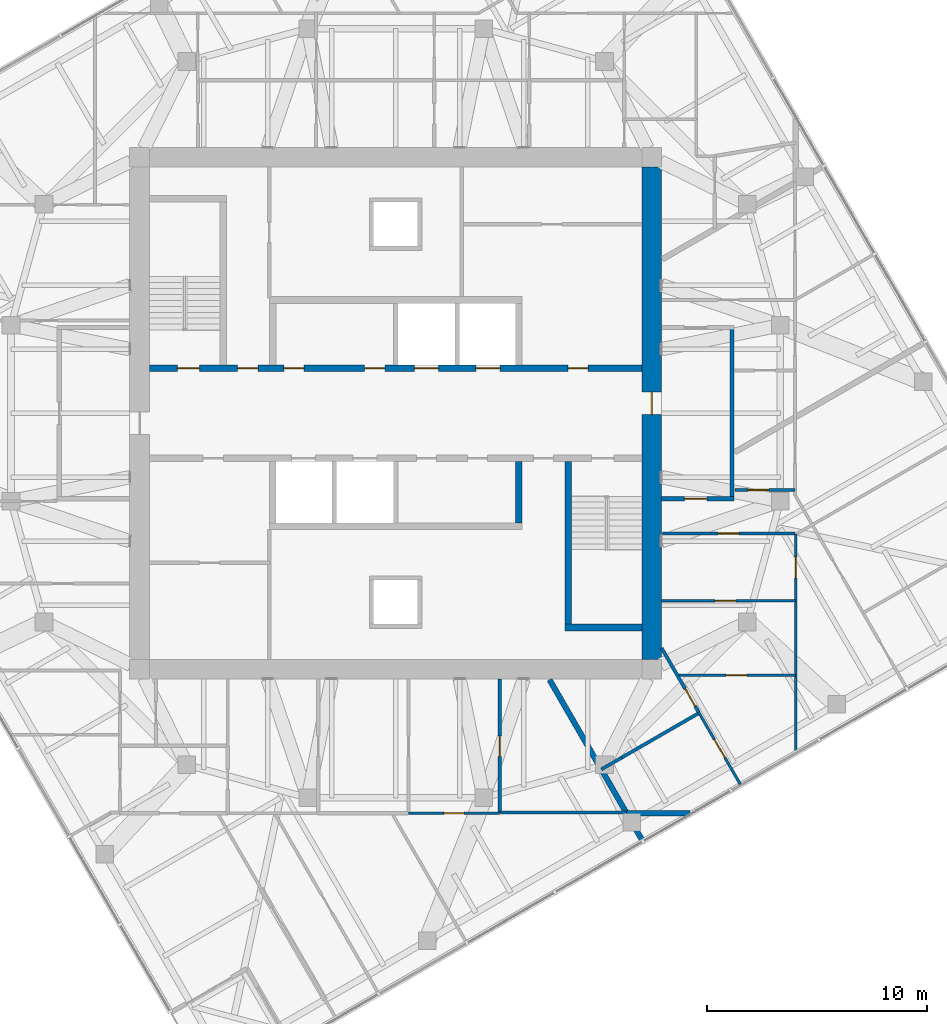
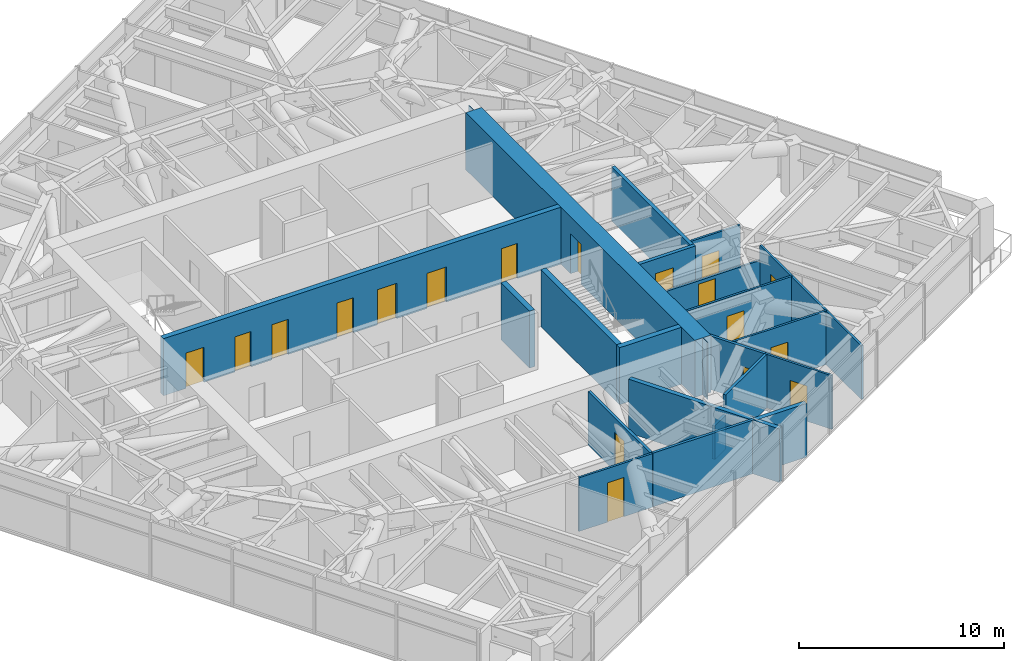
# One storey, part 11 of 16: 21 walls, 18 doors, 18 openings.
"""IFC4 building model written with IfcOpenShell, lengths in metres."""

from ifc_helpers import new_model, si_unit, direction, frame, frame_2d, origin, place, context, subcontext, project, spatial, polyline, rectangle, outline, extrude, material, layer, layer_set, type_object, element, fill, save


model = new_model("IFC4")

# Units and contexts
model_context = context("Model", 3, precision=1e-05, world=origin(), true_north=direction((0.0, 1.0)))
body_context = subcontext(model_context, "Body", "Model", "MODEL_VIEW")
ifc_project = project(units=[si_unit("LENGTHUNIT", "METRE"), si_unit("AREAUNIT", "SQUARE_METRE"), si_unit("VOLUMEUNIT", "CUBIC_METRE"), si_unit("PLANEANGLEUNIT", "RADIAN"), si_unit("MASSUNIT", "GRAM", prefix="KILO")], contexts=[model_context])

# Site, building, storey
site_placement = place(None, origin())
site = spatial("IfcSite", under=ifc_project, at=site_placement, CompositionType="ELEMENT")
building_placement = place(site_placement, origin())
building = spatial("IfcBuilding", under=site, at=building_placement, Name="Torsade Residences", CompositionType="ELEMENT")
storey_placement = place(building_placement, frame((0.0, 0.0, 232.0)))
storey = spatial("IfcBuildingStorey", under=building, at=storey_placement, Name="L64", CompositionType="ELEMENT", Elevation=232.0)

# Wall, openings, doors
ifc_material_1 = material(Name="Concrete 80 MPa", Category="concrete")
ifc_layer_1 = layer(ifc_material_1, 0.300048828125)
ifc_layer_set_1 = layer_set([ifc_layer_1], Name="Concrete 80 MPa")
wall_type_1 = type_object("IfcWallType", Name="CORE INTERNAL WALL 300", PredefinedType="SHEAR", material=ifc_layer_set_1)
wall_1_placement = place(storey_placement, frame((28.800048828125, 32.050048828125, 0.0), z_axis=(0.0, 0.0, 1.0), x_axis=(1.0, 0.0, 0.0)))
wall_1 = element("IfcWall", 1, at=wall_1_placement, inside=storey, type_object=wall_type_1, Name="Core wall LN L64", PredefinedType="SHEAR", context=body_context, shape_type="SweptSolid", body=[
    extrude(rectangle(XDim=22.39990234375, YDim=0.300048828125, at=frame_2d((11.199951171875, 0.0))), origin(), (0.0, 0.0, 1.0), 3.39990234375),
])
opening_1_placement = place(wall_1_placement, frame((19.0400390625, 0.0, 0.0)))
opening_1 = element("IfcOpeningElement", 2, at=opening_1_placement, cuts=wall_1, Name="Opening D06", PredefinedType="OPENING", context=body_context, shape_type="SweptSolid", body=[
    extrude(rectangle(XDim=0.919921875, YDim=2.10009765625, at=frame_2d((0.4599609375, 1.050048828125))), frame((0.0, 0.159912109375, 0.0), z_axis=(0.0, -1.0, 0.0), x_axis=(1.0, 0.0, 0.0)), (0.0, 0.0, 1.0), 0.320068359375),
])
opening_2_placement = place(wall_1_placement, frame((1.264892578125, 0.0, 0.0)))
opening_2 = element("IfcOpeningElement", 3, at=opening_2_placement, cuts=wall_1, Name="Opening D03", PredefinedType="OPENING", context=body_context, shape_type="SweptSolid", body=[
    extrude(rectangle(XDim=1.02001953125, YDim=2.10009765625, at=frame_2d((0.510009765625, 1.050048828125))), frame((0.0, 0.159912109375, 0.0), z_axis=(0.0, -1.0, 0.0), x_axis=(1.0, 0.0, 0.0)), (0.0, 0.0, 1.0), 0.320068359375),
])
opening_3_placement = place(wall_1_placement, frame((4.014892578125, 0.0, 0.0)))
opening_3 = element("IfcOpeningElement", 4, at=opening_3_placement, cuts=wall_1, Name="Opening D06", PredefinedType="OPENING", context=body_context, shape_type="SweptSolid", body=[
    extrude(rectangle(XDim=0.919921875, YDim=2.10009765625, at=frame_2d((0.4599609375, 1.050048828125))), frame((0.0, 0.159912109375, 0.0), z_axis=(0.0, -1.0, 0.0), x_axis=(1.0, 0.0, 0.0)), (0.0, 0.0, 1.0), 0.320068359375),
])
opening_4_placement = place(wall_1_placement, frame((6.114990234375, 0.0, 0.0)))
opening_4 = element("IfcOpeningElement", 5, at=opening_4_placement, cuts=wall_1, Name="Opening D06", PredefinedType="OPENING", context=body_context, shape_type="SweptSolid", body=[
    extrude(rectangle(XDim=0.919921875, YDim=2.10009765625, at=frame_2d((0.4599609375, 1.050048828125))), frame((0.0, 0.159912109375, 0.0), z_axis=(0.0, -1.0, 0.0), x_axis=(1.0, 0.0, 0.0)), (0.0, 0.0, 1.0), 0.320068359375),
])
opening_5_placement = place(wall_1_placement, frame((9.7900390625, 0.0, 0.0)))
opening_5 = element("IfcOpeningElement", 6, at=opening_5_placement, cuts=wall_1, Name="Opening D06", PredefinedType="OPENING", context=body_context, shape_type="SweptSolid", body=[
    extrude(rectangle(XDim=0.919921875, YDim=2.10009765625, at=frame_2d((0.4599609375, 1.050048828125))), frame((0.0, 0.159912109375, 0.0), z_axis=(0.0, -1.0, 0.0), x_axis=(1.0, 0.0, 0.0)), (0.0, 0.0, 1.0), 0.320068359375),
])
opening_6_placement = place(wall_1_placement, frame((12.050048828125, 0.0, 0.0)))
opening_6 = element("IfcOpeningElement", 7, at=opening_6_placement, cuts=wall_1, Name="Opening LD", PredefinedType="OPENING", context=body_context, shape_type="SweptSolid", body=[
    extrude(rectangle(XDim=1.10009765625, YDim=2.10009765625, at=frame_2d((0.550048828125, 1.050048828125))), frame((0.0, 0.159912109375, 0.0), z_axis=(0.0, -1.0, 0.0), x_axis=(1.0, 0.0, 0.0)), (0.0, 0.0, 1.0), 0.320068359375),
])
opening_7_placement = place(wall_1_placement, frame((14.85009765625, 0.0, 0.0)))
opening_7 = element("IfcOpeningElement", 8, at=opening_7_placement, cuts=wall_1, Name="Opening LD", PredefinedType="OPENING", context=body_context, shape_type="SweptSolid", body=[
    extrude(rectangle(XDim=1.10009765625, YDim=2.10009765625, at=frame_2d((0.550048828125, 1.050048828125))), frame((0.0, 0.159912109375, 0.0), z_axis=(0.0, -1.0, 0.0), x_axis=(1.0, 0.0, 0.0)), (0.0, 0.0, 1.0), 0.320068359375),
])
ifc_material_2 = material(Name="Steel-framed fire door", Category="steel")
door_type_1 = type_object("IfcDoorType", Name="FIRE DOOR 1020", OperationType="NOTDEFINED", PredefinedType="DOOR", material=ifc_material_2)
door_1_placement = place(opening_2_placement, origin())
door_1 = element("IfcDoor", 9, at=door_1_placement, inside=storey, type_object=door_type_1, Name="Exit door to fire-isolated stair ST1 L64", OperationType="SINGLE_SWING_RIGHT", OverallHeight=2.10009765625, OverallWidth=1.02001953125, PredefinedType="DOOR", context=body_context, shape_type="SweptSolid", body=[
    extrude(rectangle(XDim=1.02001953125, YDim=2.10009765625, at=frame_2d((0.510009765625, 1.050048828125))), frame((0.0, 0.02490234375, 0.0), z_axis=(0.0, -1.0, 0.0), x_axis=(1.0, 0.0, 0.0)), (0.0, 0.0, 1.0), 0.050048828125),
])
fill(opening_2, door_1)
ifc_material_3 = material(Name="Steel-framed fire door", Category="steel")
door_type_2 = type_object("IfcDoorType", Name="FIRE DOOR 920", OperationType="NOTDEFINED", PredefinedType="DOOR", material=ifc_material_3)
door_2_placement = place(opening_1_placement, origin())
door_2 = element("IfcDoor", 10, at=door_2_placement, inside=storey, type_object=door_type_2, Name="Door Lift lobby to Refuse room", OperationType="SINGLE_SWING_LEFT", OverallHeight=2.10009765625, OverallWidth=0.919921875, PredefinedType="DOOR", context=body_context, shape_type="SweptSolid", body=[
    extrude(rectangle(XDim=0.919921875, YDim=2.10009765625, at=frame_2d((0.4599609375, 1.050048828125))), frame((0.0, 0.02490234375, 0.0), z_axis=(0.0, -1.0, 0.0), x_axis=(1.0, 0.0, 0.0)), (0.0, 0.0, 1.0), 0.050048828125),
])
fill(opening_1, door_2)
door_3_placement = place(opening_3_placement, origin())
door_3 = element("IfcDoor", 11, at=door_3_placement, inside=storey, type_object=door_type_2, Name="Door Lift lobby to Meter store", OperationType="SINGLE_SWING_LEFT", OverallHeight=2.10009765625, OverallWidth=0.919921875, PredefinedType="DOOR", context=body_context, shape_type="SweptSolid", body=[
    extrude(rectangle(XDim=0.919921875, YDim=2.10009765625, at=frame_2d((0.4599609375, 1.050048828125))), frame((0.0, 0.02490234375, 0.0), z_axis=(0.0, -1.0, 0.0), x_axis=(1.0, 0.0, 0.0)), (0.0, 0.0, 1.0), 0.050048828125),
])
fill(opening_3, door_3)
door_4_placement = place(opening_4_placement, origin())
door_4 = element("IfcDoor", 12, at=door_4_placement, inside=storey, type_object=door_type_2, Name="Door Lift lobby to Cleaners store L64A", OperationType="SINGLE_SWING_LEFT", OverallHeight=2.10009765625, OverallWidth=0.919921875, PredefinedType="DOOR", context=body_context, shape_type="SweptSolid", body=[
    extrude(rectangle(XDim=0.919921875, YDim=2.10009765625, at=frame_2d((0.4599609375, 1.050048828125))), frame((0.0, 0.02490234375, 0.0), z_axis=(0.0, -1.0, 0.0), x_axis=(1.0, 0.0, 0.0)), (0.0, 0.0, 1.0), 0.050048828125),
])
fill(opening_4, door_4)
door_5_placement = place(opening_5_placement, origin())
door_5 = element("IfcDoor", 13, at=door_5_placement, inside=storey, type_object=door_type_2, Name="Door Lift lobby to Cleaners store L64A", OperationType="SINGLE_SWING_RIGHT", OverallHeight=2.10009765625, OverallWidth=0.919921875, PredefinedType="DOOR", context=body_context, shape_type="SweptSolid", body=[
    extrude(rectangle(XDim=0.919921875, YDim=2.10009765625, at=frame_2d((0.4599609375, 1.050048828125))), frame((0.0, 0.02490234375, 0.0), z_axis=(0.0, -1.0, 0.0), x_axis=(1.0, 0.0, 0.0)), (0.0, 0.0, 1.0), 0.050048828125),
])
fill(opening_5, door_5)
ifc_material_4 = material(Name="Stainless steel lift landing door", Category="steel")
door_type_3 = type_object("IfcDoorType", Name="LIFT LANDING DOOR 1100", OperationType="SLIDING_TO_LEFT", PredefinedType="DOOR", material=ifc_material_4)
door_6_placement = place(opening_6_placement, origin())
door_6 = element("IfcDoor", 14, at=door_6_placement, inside=storey, type_object=door_type_3, Name="Lift LA3 landing door L64", OperationType="SLIDING_TO_LEFT", OverallHeight=2.10009765625, OverallWidth=1.10009765625, PredefinedType="DOOR", context=body_context, shape_type="SweptSolid", body=[
    extrude(rectangle(XDim=1.10009765625, YDim=2.10009765625, at=frame_2d((0.550048828125, 1.050048828125))), frame((0.0, 0.02490234375, 0.0), z_axis=(0.0, -1.0, 0.0), x_axis=(1.0, 0.0, 0.0)), (0.0, 0.0, 1.0), 0.050048828125),
])
fill(opening_6, door_6)
door_7_placement = place(opening_7_placement, origin())
door_7 = element("IfcDoor", 15, at=door_7_placement, inside=storey, type_object=door_type_3, Name="Lift FL1 landing door L64", OperationType="SLIDING_TO_LEFT", OverallHeight=2.10009765625, OverallWidth=1.10009765625, PredefinedType="DOOR", context=body_context, shape_type="SweptSolid", body=[
    extrude(rectangle(XDim=1.10009765625, YDim=2.10009765625, at=frame_2d((0.550048828125, 1.050048828125))), frame((0.0, 0.02490234375, 0.0), z_axis=(0.0, -1.0, 0.0), x_axis=(1.0, 0.0, 0.0)), (0.0, 0.0, 1.0), 0.050048828125),
])
fill(opening_7, door_7)

# Walls
wall_2_placement = place(storey_placement, frame((45.60009765625, 27.800048828125, 0.0), z_axis=(0.0, 0.0, 1.0), x_axis=(0.0, -1.0, 0.0)))
element("IfcWall", 16, at=wall_2_placement, inside=storey, type_object=wall_type_1, Name="Core wall DS0 L64", PredefinedType="SHEAR", context=body_context, shape_type="SweptSolid", body=[
    extrude(rectangle(XDim=2.800048828125, YDim=0.300048828125, at=frame_2d((1.39990234375, 0.0))), origin(), (0.0, 0.0, 1.0), 3.39990234375),
])
wall_3_placement = place(storey_placement, frame((47.85009765625, 27.800048828125, 0.0), z_axis=(0.0, 0.0, 1.0), x_axis=(0.0, -1.0, 0.0)))
element("IfcWall", 17, at=wall_3_placement, inside=storey, type_object=wall_type_1, Name="Core wall ST2W L64", PredefinedType="SHEAR", context=body_context, shape_type="SweptSolid", body=[
    extrude(rectangle(XDim=7.699951171875, YDim=0.300048828125, at=frame_2d((3.85009765625, 0.0))), origin(), (0.0, 0.0, 1.0), 3.39990234375),
])
wall_4_placement = place(storey_placement, frame((51.199951171875, 20.25, 0.0), z_axis=(0.0, 0.0, 1.0), x_axis=(-1.0, 0.0, 0.0)))
element("IfcWall", 18, at=wall_4_placement, inside=storey, type_object=wall_type_1, Name="Core wall ST2S L64", PredefinedType="SHEAR", context=body_context, shape_type="SweptSolid", body=[
    extrude(rectangle(XDim=3.5, YDim=0.300048828125, at=frame_2d((1.75, 0.0))), origin(), (0.0, 0.0, 1.0), 3.39990234375),
])

# Wall, opening, door
ifc_material_5 = material(Name="Concrete 80 MPa", Category="concrete")
ifc_layer_2 = layer(ifc_material_5, 0.89990234375)
ifc_layer_set_2 = layer_set([ifc_layer_2], Name="Concrete 80 MPa")
wall_type_2 = type_object("IfcWallType", Name="CORE WALL 900", PredefinedType="SHEAR", material=ifc_layer_set_2)
wall_5_placement = place(storey_placement, frame((51.64990234375, 18.800048828125, 0.0), z_axis=(0.0, 0.0, 1.0), x_axis=(0.0, 1.0, 0.0)))
wall_5 = element("IfcWall", 19, at=wall_5_placement, inside=storey, type_object=wall_type_2, Name="Core wall E L64", PredefinedType="SHEAR", context=body_context, shape_type="SweptSolid", body=[
    extrude(outline(polyline([(0.0, -0.449951171875), (22.39990234375, -0.449951171875), (22.39990234375, -0.02490234375), (22.849853515625, -0.02490234375), (22.849853515625, 0.02490234375), (22.39990234375, 0.02490234375), (22.39990234375, 0.449951171875), (0.0, 0.449951171875), (0.0, 0.02490234375), (-0.449951171875, 0.02490234375), (-0.449951171875, -0.02490234375), (0.0, -0.02490234375), (0.0, -0.449951171875)])), origin(), (0.0, 0.0, 1.0), 3.39990234375),
])
opening_8_placement = place(wall_5_placement, frame((11.139892578125, 0.0, 0.0)))
opening_8 = element("IfcOpeningElement", 20, at=opening_8_placement, cuts=wall_5, Name="Opening D04", PredefinedType="OPENING", context=body_context, shape_type="SweptSolid", body=[
    extrude(rectangle(XDim=1.02001953125, YDim=2.39990234375, at=frame_2d((0.510009765625, 1.199951171875))), frame((0.0, 0.4599609375, 0.0), z_axis=(0.0, -1.0, 0.0), x_axis=(1.0, 0.0, 0.0)), (0.0, 0.0, 1.0), 0.919921875),
])
ifc_material_6 = material(Name="Steel-framed fire door", Category="steel")
door_type_4 = type_object("IfcDoorType", Name="LOBBY SMOKE DOOR 1020x2400", OperationType="NOTDEFINED", PredefinedType="DOOR", material=ifc_material_6)
door_8_placement = place(opening_8_placement, origin())
door_8 = element("IfcDoor", 21, at=door_8_placement, inside=storey, type_object=door_type_4, Name="Lift lobby door E L64", OperationType="SINGLE_SWING_LEFT", OverallHeight=2.39990234375, OverallWidth=1.02001953125, PredefinedType="DOOR", context=body_context, shape_type="SweptSolid", body=[
    extrude(rectangle(XDim=1.02001953125, YDim=2.39990234375, at=frame_2d((0.510009765625, 1.199951171875))), frame((0.0, 0.02490234375, 0.0), z_axis=(0.0, -1.0, 0.0), x_axis=(1.0, 0.0, 0.0)), (0.0, 0.0, 1.0), 0.050048828125),
])
fill(opening_8, door_8)

# Wall
ifc_material_7 = material(Name="Plasterboard on steel stud", Category="steel")
ifc_layer_3 = layer(ifc_material_7, 0.199951171875)
ifc_layer_set_3 = layer_set([ifc_layer_3], Name="Plasterboard on steel stud")
wall_type_3 = type_object("IfcWallType", Name="CORRIDOR WALL 200", PredefinedType="PARTITIONING", material=ifc_layer_set_3)
wall_6_placement = place(storey_placement, frame((55.300048828125, 26.10009765625, 0.0), z_axis=(0.0, 0.0, 1.0), x_axis=(0.0, 1.0, 0.0)))
element("IfcWall", 22, at=wall_6_placement, inside=storey, type_object=wall_type_3, Name="Corridor wall L64", PredefinedType="PARTITIONING", context=body_context, shape_type="SweptSolid", body=[
    extrude(rectangle(XDim=7.7998046875, YDim=0.199951171875, at=frame_2d((3.89990234375, 0.0))), origin(), (0.0, 0.0, 1.0), 3.199951171875),
])

# Wall, opening, door
wall_7_placement = place(storey_placement, frame((52.10009765625, 26.10009765625, 0.0), z_axis=(0.0, 0.0, 1.0), x_axis=(1.0, 0.0, 0.0)))
wall_7 = element("IfcWall", 23, at=wall_7_placement, inside=storey, type_object=wall_type_3, Name="Corridor wall L64", PredefinedType="PARTITIONING", context=body_context, shape_type="SweptSolid", body=[
    extrude(rectangle(XDim=3.2998046875, YDim=0.199951171875, at=frame_2d((1.64990234375, 0.0))), origin(), (0.0, 0.0, 1.0), 3.199951171875),
])
opening_9_placement = place(wall_7_placement, frame((1.0400390625, 0.0, 0.0)))
opening_9 = element("IfcOpeningElement", 24, at=opening_9_placement, cuts=wall_7, Name="Opening D01", PredefinedType="OPENING", context=body_context, shape_type="SweptSolid", body=[
    extrude(rectangle(XDim=1.02001953125, YDim=2.340087890625, at=frame_2d((0.510009765625, 1.169921875))), frame((0.0, 0.10986328125, 0.0), z_axis=(0.0, -1.0, 0.0), x_axis=(1.0, 0.0, 0.0)), (0.0, 0.0, 1.0), 0.219970703125),
])
ifc_material_8 = material(Name="Solid-core timber fire door", Category="wood")
door_type_5 = type_object("IfcDoorType", Name="APARTMENT ENTRY DOOR 1020x2340", OperationType="NOTDEFINED", PredefinedType="DOOR", material=ifc_material_8)
door_9_placement = place(opening_9_placement, origin())
door_9 = element("IfcDoor", 25, at=door_9_placement, inside=storey, type_object=door_type_5, Name="Door Residential corridor to Kitchen and dining", OperationType="SINGLE_SWING_LEFT", OverallHeight=2.340087890625, OverallWidth=1.02001953125, PredefinedType="DOOR", context=body_context, shape_type="SweptSolid", body=[
    extrude(rectangle(XDim=1.02001953125, YDim=2.340087890625, at=frame_2d((0.510009765625, 1.169921875))), frame((0.0, 0.02490234375, 0.0), z_axis=(0.0, -1.0, 0.0), x_axis=(1.0, 0.0, 0.0)), (0.0, 0.0, 1.0), 0.050048828125),
])
fill(opening_9, door_9)

ifc_material_9 = material(Name="Plasterboard on steel stud", Category="steel")
ifc_layer_4 = layer(ifc_material_9, 0.1201171875)
ifc_layer_set_4 = layer_set([ifc_layer_4], Name="Plasterboard on steel stud")
wall_type_4 = type_object("IfcWallType", Name="PARTITION 120", PredefinedType="PARTITIONING", material=ifc_layer_set_4)
wall_8_placement = place(storey_placement, frame((55.429931640625, 26.5078125, 0.0), z_axis=(0.0, 0.0, 1.0), x_axis=(1.0, 0.0, 0.0)))
wall_8 = element("IfcWall", 26, at=wall_8_placement, inside=storey, type_object=wall_type_4, Name="Partition L64", PredefinedType="PARTITIONING", context=body_context, shape_type="SweptSolid", body=[
    extrude(rectangle(XDim=2.739990234375, YDim=0.1201171875, at=frame_2d((1.3701171875, 0.0))), origin(), (0.0, 0.0, 1.0), 3.199951171875),
])
opening_10_placement = place(wall_8_placement, frame((0.590087890625, 0.0, 0.0)))
opening_10 = element("IfcOpeningElement", 27, at=opening_10_placement, cuts=wall_8, Name="Opening D05", PredefinedType="OPENING", context=body_context, shape_type="SweptSolid", body=[
    extrude(rectangle(XDim=0.9599609375, YDim=2.10009765625, at=frame_2d((0.47998046875, 1.050048828125))), frame((0.0, 0.070068359375, 0.0), z_axis=(0.0, -1.0, 0.0), x_axis=(1.0, 0.0, 0.0)), (0.0, 0.0, 1.0), 0.14013671875),
])
ifc_material_10 = material(Name="Hollow-core timber door in a steel cavity frame", Category="steel")
door_type_6 = type_object("IfcDoorType", Name="BATHROOM CAVITY SLIDING DOOR 960", OperationType="SLIDING_TO_LEFT", PredefinedType="DOOR", material=ifc_material_10)
door_10_placement = place(opening_10_placement, origin())
door_10 = element("IfcDoor", 28, at=door_10_placement, inside=storey, type_object=door_type_6, Name="Door Kitchen and dining to Bathroom", OperationType="SLIDING_TO_LEFT", OverallHeight=2.10009765625, OverallWidth=0.9599609375, PredefinedType="DOOR", context=body_context, shape_type="SweptSolid", body=[
    extrude(rectangle(XDim=0.9599609375, YDim=2.10009765625, at=frame_2d((0.47998046875, 1.050048828125))), frame((0.0, 0.02490234375, 0.0), z_axis=(0.0, -1.0, 0.0), x_axis=(1.0, 0.0, 0.0)), (0.0, 0.0, 1.0), 0.050048828125),
])
fill(opening_10, door_10)

wall_9_placement = place(storey_placement, frame((58.169921875, 24.528076171875, 0.0), z_axis=(0.0, 0.0, 1.0), x_axis=(-1.0, 0.0, 0.0)))
wall_9 = element("IfcWall", 29, at=wall_9_placement, inside=storey, type_object=wall_type_4, Name="Partition L64", PredefinedType="PARTITIONING", context=body_context, shape_type="SweptSolid", body=[
    extrude(rectangle(XDim=6.0400390625, YDim=0.1201171875, at=frame_2d((3.02001953125, 0.0))), origin(), (0.0, 0.0, 1.0), 2.300048828125),
])
opening_11_placement = place(wall_9_placement, frame((2.5400390625, 0.0, 0.0)))
opening_11 = element("IfcOpeningElement", 30, at=opening_11_placement, cuts=wall_9, Name="Opening D05", PredefinedType="OPENING", context=body_context, shape_type="SweptSolid", body=[
    extrude(rectangle(XDim=0.9599609375, YDim=2.10009765625, at=frame_2d((0.47998046875, 1.050048828125))), frame((0.0, 0.070068359375, 0.0), z_axis=(0.0, -1.0, 0.0), x_axis=(1.0, 0.0, 0.0)), (0.0, 0.0, 1.0), 0.14013671875),
])
door_11_placement = place(opening_11_placement, origin())
door_11 = element("IfcDoor", 31, at=door_11_placement, inside=storey, type_object=door_type_6, Name="Door Kitchen and dining to Laundry", OperationType="SLIDING_TO_LEFT", OverallHeight=2.10009765625, OverallWidth=0.9599609375, PredefinedType="DOOR", context=body_context, shape_type="SweptSolid", body=[
    extrude(rectangle(XDim=0.9599609375, YDim=2.10009765625, at=frame_2d((0.47998046875, 1.050048828125))), frame((0.0, 0.02490234375, 0.0), z_axis=(0.0, -1.0, 0.0), x_axis=(1.0, 0.0, 0.0)), (0.0, 0.0, 1.0), 0.050048828125),
])
fill(opening_11, door_11)

wall_10_placement = place(storey_placement, frame((58.199951171875, 18.070068359375, 0.0), z_axis=(0.0, 0.0, 1.0), x_axis=(-1.0, 0.0, 0.0)))
wall_10 = element("IfcWall", 32, at=wall_10_placement, inside=storey, type_object=wall_type_4, Name="Partition L64", PredefinedType="PARTITIONING", context=body_context, shape_type="SweptSolid", body=[
    extrude(rectangle(XDim=5.38134765625, YDim=0.1201171875, at=frame_2d((2.690673828125, 0.0))), origin(), (0.0, 0.0, 1.0), 3.199951171875),
])
opening_12_placement = place(wall_10_placement, frame((2.210693359375, 0.0, 0.0)))
opening_12 = element("IfcOpeningElement", 33, at=opening_12_placement, cuts=wall_10, Name="Opening D05", PredefinedType="OPENING", context=body_context, shape_type="SweptSolid", body=[
    extrude(rectangle(XDim=0.9599609375, YDim=2.10009765625, at=frame_2d((0.47998046875, 1.050048828125))), frame((0.0, 0.070068359375, 0.0), z_axis=(0.0, -1.0, 0.0), x_axis=(1.0, 0.0, 0.0)), (0.0, 0.0, 1.0), 0.14013671875),
])
door_12_placement = place(opening_12_placement, origin())
door_12 = element("IfcDoor", 34, at=door_12_placement, inside=storey, type_object=door_type_6, Name="Door Ensuite to Dressing room", OperationType="SLIDING_TO_LEFT", OverallHeight=2.10009765625, OverallWidth=0.9599609375, PredefinedType="DOOR", context=body_context, shape_type="SweptSolid", body=[
    extrude(rectangle(XDim=0.9599609375, YDim=2.10009765625, at=frame_2d((0.47998046875, 1.050048828125))), frame((0.0, 0.02490234375, 0.0), z_axis=(0.0, -1.0, 0.0), x_axis=(1.0, 0.0, 0.0)), (0.0, 0.0, 1.0), 0.050048828125),
])
fill(opening_12, door_12)

wall_11_placement = place(storey_placement, frame((52.10009765625, 21.462158203125, 0.0), z_axis=(0.0, 0.0, 1.0), x_axis=(1.0, 0.0, 0.0)))
wall_11 = element("IfcWall", 35, at=wall_11_placement, inside=storey, type_object=wall_type_4, Name="Partition L64", PredefinedType="PARTITIONING", context=body_context, shape_type="SweptSolid", body=[
    extrude(rectangle(XDim=6.099853515625, YDim=0.1201171875, at=frame_2d((3.0498046875, 0.0))), origin(), (0.0, 0.0, 1.0), 3.199951171875),
])
opening_13_placement = place(wall_11_placement, frame((2.419921875, 0.0, 0.0)))
opening_13 = element("IfcOpeningElement", 36, at=opening_13_placement, cuts=wall_11, Name="Opening D05", PredefinedType="OPENING", context=body_context, shape_type="SweptSolid", body=[
    extrude(rectangle(XDim=0.9599609375, YDim=2.10009765625, at=frame_2d((0.47998046875, 1.050048828125))), frame((0.0, 0.070068359375, 0.0), z_axis=(0.0, -1.0, 0.0), x_axis=(1.0, 0.0, 0.0)), (0.0, 0.0, 1.0), 0.14013671875),
])
door_13_placement = place(opening_13_placement, origin())
door_13 = element("IfcDoor", 37, at=door_13_placement, inside=storey, type_object=door_type_6, Name="Door Laundry to Ensuite", OperationType="SLIDING_TO_LEFT", OverallHeight=2.10009765625, OverallWidth=0.9599609375, PredefinedType="DOOR", context=body_context, shape_type="SweptSolid", body=[
    extrude(rectangle(XDim=0.9599609375, YDim=2.10009765625, at=frame_2d((0.47998046875, 1.050048828125))), frame((0.0, 0.02490234375, 0.0), z_axis=(0.0, -1.0, 0.0), x_axis=(1.0, 0.0, 0.0)), (0.0, 0.0, 1.0), 0.050048828125),
])
fill(opening_13, door_13)

wall_12_placement = place(storey_placement, frame((58.199951171875, 24.498046875, 0.0), z_axis=(0.0, 0.0, 1.0), x_axis=(0.0, -1.0, 0.0)))
wall_12 = element("IfcWall", 38, at=wall_12_placement, inside=storey, type_object=wall_type_4, Name="Partition L64", PredefinedType="PARTITIONING", context=body_context, shape_type="SweptSolid", body=[
    extrude(rectangle(XDim=9.9248046875, YDim=0.1201171875, at=frame_2d((4.96240234375, 0.0))), origin(), (0.0, 0.0, 1.0), 3.199951171875),
])
opening_14_placement = place(wall_12_placement, frame((1.037841796875, 0.0, 0.0)))
opening_14 = element("IfcOpeningElement", 39, at=opening_14_placement, cuts=wall_12, Name="Opening D05", PredefinedType="OPENING", context=body_context, shape_type="SweptSolid", body=[
    extrude(rectangle(XDim=0.9599609375, YDim=2.10009765625, at=frame_2d((0.47998046875, 1.050048828125))), frame((0.0, 0.070068359375, 0.0), z_axis=(0.0, -1.0, 0.0), x_axis=(1.0, 0.0, 0.0)), (0.0, 0.0, 1.0), 0.14013671875),
])
door_14_placement = place(opening_14_placement, origin())
door_14 = element("IfcDoor", 40, at=door_14_placement, inside=storey, type_object=door_type_6, Name="Door Laundry to Bedroom 2", OperationType="SLIDING_TO_LEFT", OverallHeight=2.10009765625, OverallWidth=0.9599609375, PredefinedType="DOOR", context=body_context, shape_type="SweptSolid", body=[
    extrude(rectangle(XDim=0.9599609375, YDim=2.10009765625, at=frame_2d((0.47998046875, 1.050048828125))), frame((0.0, 0.02490234375, 0.0), z_axis=(0.0, -1.0, 0.0), x_axis=(1.0, 0.0, 0.0)), (0.0, 0.0, 1.0), 0.050048828125),
])
fill(opening_14, door_14)

wall_13_placement = place(storey_placement, frame((55.67822265625, 13.1171875, 0.0), z_axis=(0.0, 0.0, 1.0), x_axis=(-0.500024807712, 0.866011080572, 0.0)))
wall_13 = element("IfcWall", 41, at=wall_13_placement, inside=storey, type_object=wall_type_4, Name="Partition L64", PredefinedType="PARTITIONING", context=body_context, shape_type="SweptSolid", body=[
    extrude(rectangle(XDim=3.797607421875, YDim=0.1201171875, at=frame_2d((1.89892578125, 0.0))), origin(), (0.0, 0.0, 1.0), 3.199951171875),
])
opening_15_placement = place(wall_13_placement, frame((1.398681640625, 0.0, 0.0)))
opening_15 = element("IfcOpeningElement", 42, at=opening_15_placement, cuts=wall_13, Name="Opening D05", PredefinedType="OPENING", context=body_context, shape_type="SweptSolid", body=[
    extrude(rectangle(XDim=0.9599609375, YDim=2.10009765625, at=frame_2d((0.47998046875, 1.050048828125))), frame((0.0, 0.070068359375, 0.0), z_axis=(0.0, -1.0, 0.0), x_axis=(1.0, 0.0, 0.0)), (0.0, 0.0, 1.0), 0.14013671875),
])
door_15_placement = place(opening_15_placement, origin())
door_15 = element("IfcDoor", 43, at=door_15_placement, inside=storey, type_object=door_type_6, Name="Door Dressing room to WC", OperationType="SLIDING_TO_LEFT", OverallHeight=2.10009765625, OverallWidth=0.9599609375, PredefinedType="DOOR", context=body_context, shape_type="SweptSolid", body=[
    extrude(rectangle(XDim=0.9599609375, YDim=2.10009765625, at=frame_2d((0.47998046875, 1.050048828125))), frame((0.0, 0.02490234375, 0.0), z_axis=(0.0, -1.0, 0.0), x_axis=(1.0, 0.0, 0.0)), (0.0, 0.0, 1.0), 0.050048828125),
])
fill(opening_15, door_15)

wall_14_placement = place(storey_placement, frame((44.7294921875, 11.800048828125, 0.0), z_axis=(0.0, 0.0, 1.0), x_axis=(-1.0, 0.0, 0.0)))
wall_14 = element("IfcWall", 44, at=wall_14_placement, inside=storey, type_object=wall_type_4, Name="Partition L64", PredefinedType="PARTITIONING", context=body_context, shape_type="SweptSolid", body=[
    extrude(rectangle(XDim=4.143798828125, YDim=0.1201171875, at=frame_2d((2.07177734375, 0.0))), origin(), (0.0, 0.0, 1.0), 3.199951171875),
])
opening_16_placement = place(wall_14_placement, frame((1.612060546875, 0.0, 0.0)))
opening_16 = element("IfcOpeningElement", 45, at=opening_16_placement, cuts=wall_14, Name="Opening D02", PredefinedType="OPENING", context=body_context, shape_type="SweptSolid", body=[
    extrude(rectangle(XDim=0.919921875, YDim=2.340087890625, at=frame_2d((0.4599609375, 1.169921875))), frame((0.0, 0.070068359375, 0.0), z_axis=(0.0, -1.0, 0.0), x_axis=(1.0, 0.0, 0.0)), (0.0, 0.0, 1.0), 0.14013671875),
])
ifc_material_11 = material(Name="Hollow-core timber door", Category="wood")
door_type_7 = type_object("IfcDoorType", Name="INTERNAL DOOR 920x2340", OperationType="NOTDEFINED", PredefinedType="DOOR", material=ifc_material_11)
door_16_placement = place(opening_16_placement, origin())
door_16 = element("IfcDoor", 46, at=door_16_placement, inside=storey, type_object=door_type_7, Name="Door Study to Bedroom 3", OperationType="SINGLE_SWING_RIGHT", OverallHeight=2.340087890625, OverallWidth=0.919921875, PredefinedType="DOOR", context=body_context, shape_type="SweptSolid", body=[
    extrude(rectangle(XDim=0.919921875, YDim=2.340087890625, at=frame_2d((0.4599609375, 1.169921875))), frame((0.0, 0.02490234375, 0.0), z_axis=(0.0, -1.0, 0.0), x_axis=(1.0, 0.0, 0.0)), (0.0, 0.0, 1.0), 0.050048828125),
])
fill(opening_16, door_16)

# Walls
ifc_material_12 = material(Name="Masonry-lined stud party wall", Category="masonry")
ifc_layer_5 = layer(ifc_material_12, 0.25)
ifc_layer_set_5 = layer_set([ifc_layer_5], Name="Masonry-lined stud party wall")
wall_type_5 = type_object("IfcWallType", Name="PARTY WALL 250", PredefinedType="PARTITIONING", material=ifc_layer_set_5)
wall_15_placement = place(storey_placement, frame((51.25, 10.514404296875, 0.0), z_axis=(0.0, 0.0, 1.0), x_axis=(-0.500008511703, 0.866020489494, 0.0)))
element("IfcWall", 47, at=wall_15_placement, inside=storey, type_object=wall_type_5, Name="Party wall L64", PredefinedType="PARTITIONING", context=body_context, shape_type="SweptSolid", body=[
    extrude(rectangle(XDim=8.495849609375, YDim=0.25, at=frame_2d((4.248046875, 0.0))), origin(), (0.0, 0.0, 1.0), 3.199951171875),
])
wall_16_placement = place(storey_placement, frame((53.396728515625, 11.800048828125, 0.0), z_axis=(0.0, 0.0, 1.0), x_axis=(-1.0, 0.0, 0.0)))
element("IfcWall", 48, at=wall_16_placement, inside=storey, type_object=wall_type_5, Name="Party wall L64", PredefinedType="PARTITIONING", context=body_context, shape_type="SweptSolid", body=[
    extrude(rectangle(XDim=2.888916015625, YDim=0.25, at=frame_2d((1.4443359375, 0.0))), origin(), (0.0, 0.0, 1.0), 3.199951171875),
])

# Wall, opening, door
ifc_material_13 = material(Name="Reinforced blockwork", Category="masonry")
ifc_layer_6 = layer(ifc_material_13, 0.14990234375)
ifc_layer_set_6 = layer_set([ifc_layer_6], Name="Reinforced blockwork")
wall_type_6 = type_object("IfcWallType", Name="SERVICE ROOM WALL 150", PredefinedType="SOLIDWALL", material=ifc_layer_set_6)
wall_17_placement = place(storey_placement, frame((53.779296875, 16.406005859375, 0.0), z_axis=(0.0, 0.0, 1.0), x_axis=(-0.499969954228, 0.866042750024, 0.0)))
wall_17 = element("IfcWall", 49, at=wall_17_placement, inside=storey, type_object=wall_type_6, Name="Service room wall L64", PredefinedType="SOLIDWALL", context=body_context, shape_type="SweptSolid", body=[
    extrude(rectangle(XDim=3.358642578125, YDim=0.14990234375, at=frame_2d((1.67919921875, 0.0))), origin(), (0.0, 0.0, 1.0), 3.199951171875),
])
opening_17_placement = place(wall_17_placement, frame((0.30078125, 0.0, 0.0)))
opening_17 = element("IfcOpeningElement", 50, at=opening_17_placement, cuts=wall_17, Name="Opening D02N", PredefinedType="OPENING", context=body_context, shape_type="SweptSolid", body=[
    extrude(rectangle(XDim=0.919921875, YDim=2.0, at=frame_2d((0.4599609375, 1.0))), frame((0.0, 0.0849609375, 0.0), z_axis=(0.0, -1.0, 0.0), x_axis=(1.0, 0.0, 0.0)), (0.0, 0.0, 1.0), 0.169921875),
])
ifc_material_14 = material(Name="Hollow-core timber door", Category="wood")
door_type_8 = type_object("IfcDoorType", Name="INTERNAL DOOR 920x2000", OperationType="NOTDEFINED", PredefinedType="DOOR", material=ifc_material_14)
door_17_placement = place(opening_17_placement, origin())
door_17 = element("IfcDoor", 51, at=door_17_placement, inside=storey, type_object=door_type_8, Name="Door Dressing room to Linen store", OperationType="SINGLE_SWING_LEFT", OverallHeight=2.0, OverallWidth=0.919921875, PredefinedType="DOOR", context=body_context, shape_type="SweptSolid", body=[
    extrude(rectangle(XDim=0.919921875, YDim=2.0, at=frame_2d((0.4599609375, 1.0))), frame((0.0, 0.02490234375, 0.0), z_axis=(0.0, -1.0, 0.0), x_axis=(1.0, 0.0, 0.0)), (0.0, 0.0, 1.0), 0.050048828125),
])
fill(opening_17, door_17)

# Walls
wall_18_placement = place(storey_placement, frame((49.356201171875, 13.794677734375, 0.0), z_axis=(0.0, 0.0, 1.0), x_axis=(0.866087482489, 0.499892461112, 0.0)))
element("IfcWall", 52, at=wall_18_placement, inside=storey, type_object=wall_type_6, Name="Service room wall L64", PredefinedType="SOLIDWALL", context=body_context, shape_type="SweptSolid", body=[
    extrude(rectangle(XDim=1.077392578125, YDim=0.14990234375, at=frame_2d((0.53857421875, 0.0))), origin(), (0.0, 0.0, 1.0), 2.0),
])
wall_19_placement = place(storey_placement, frame((50.289306640625, 14.333251953125, 0.0), z_axis=(0.0, 0.0, 1.0), x_axis=(0.866002269112, 0.500040068287, 0.0)))
element("IfcWall", 53, at=wall_19_placement, inside=storey, type_object=wall_type_6, Name="Service room wall L64", PredefinedType="SOLIDWALL", context=body_context, shape_type="SweptSolid", body=[
    extrude(rectangle(XDim=4.058837890625, YDim=0.14990234375, at=frame_2d((2.029296875, 0.0))), origin(), (0.0, 0.0, 1.0), 3.199951171875),
])

# Wall, opening, door
wall_20_placement = place(storey_placement, frame((44.7294921875, 17.89990234375, 0.0), z_axis=(0.0, 0.0, 1.0), x_axis=(0.0, -1.0, 0.0)))
wall_20 = element("IfcWall", 54, at=wall_20_placement, inside=storey, type_object=wall_type_6, Name="Service room wall L64", PredefinedType="SOLIDWALL", context=body_context, shape_type="SweptSolid", body=[
    extrude(rectangle(XDim=6.099853515625, YDim=0.14990234375, at=frame_2d((3.0498046875, 0.0))), origin(), (0.0, 0.0, 1.0), 3.199951171875),
])
opening_18_placement = place(wall_20_placement, frame((2.590087890625, 0.0, 0.0)))
opening_18 = element("IfcOpeningElement", 55, at=opening_18_placement, cuts=wall_20, Name="Opening D02", PredefinedType="OPENING", context=body_context, shape_type="SweptSolid", body=[
    extrude(rectangle(XDim=0.919921875, YDim=2.340087890625, at=frame_2d((0.4599609375, 1.169921875))), frame((0.0, 0.0849609375, 0.0), z_axis=(0.0, -1.0, 0.0), x_axis=(1.0, 0.0, 0.0)), (0.0, 0.0, 1.0), 0.169921875),
])
door_18_placement = place(opening_18_placement, origin())
door_18 = element("IfcDoor", 56, at=door_18_placement, inside=storey, type_object=door_type_7, Name="Door Study to Linen store 5", OperationType="SINGLE_SWING_RIGHT", OverallHeight=2.340087890625, OverallWidth=0.919921875, PredefinedType="DOOR", context=body_context, shape_type="SweptSolid", body=[
    extrude(rectangle(XDim=0.919921875, YDim=2.340087890625, at=frame_2d((0.4599609375, 1.169921875))), frame((0.0, 0.02490234375, 0.0), z_axis=(0.0, -1.0, 0.0), x_axis=(1.0, 0.0, 0.0)), (0.0, 0.0, 1.0), 0.050048828125),
])
fill(opening_18, door_18)

# Wall
wall_21_placement = place(storey_placement, frame((50.49072265625, 11.829345703125, 0.0), z_axis=(0.0, 0.0, 1.0), x_axis=(-0.999999991834, 0.000127795526, 0.0)))
element("IfcWall", 57, at=wall_21_placement, inside=storey, type_object=wall_type_6, Name="Service room wall L64", PredefinedType="SOLIDWALL", context=body_context, shape_type="SweptSolid", body=[
    extrude(rectangle(XDim=5.731201171875, YDim=0.14990234375, at=frame_2d((2.86572265625, 0.0))), origin(), (0.0, 0.0, 1.0), 3.199951171875),
])

save(model, "model.ifc")
